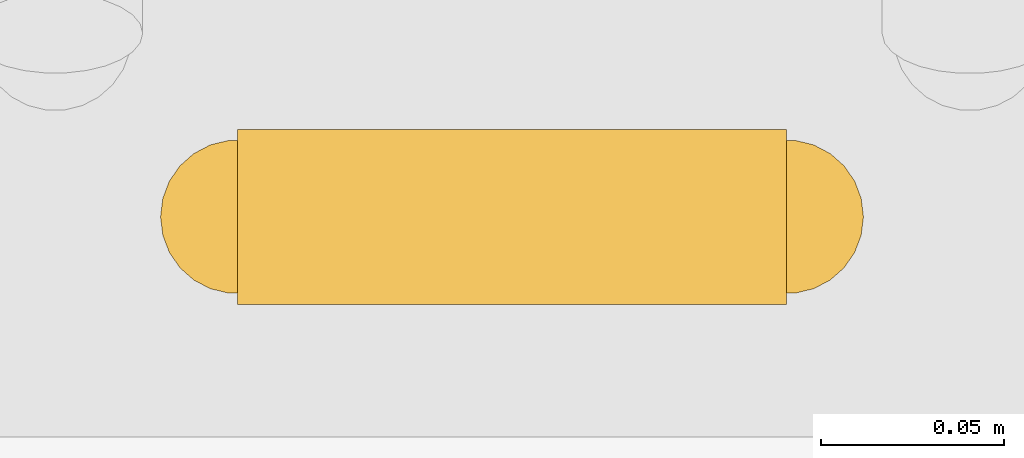
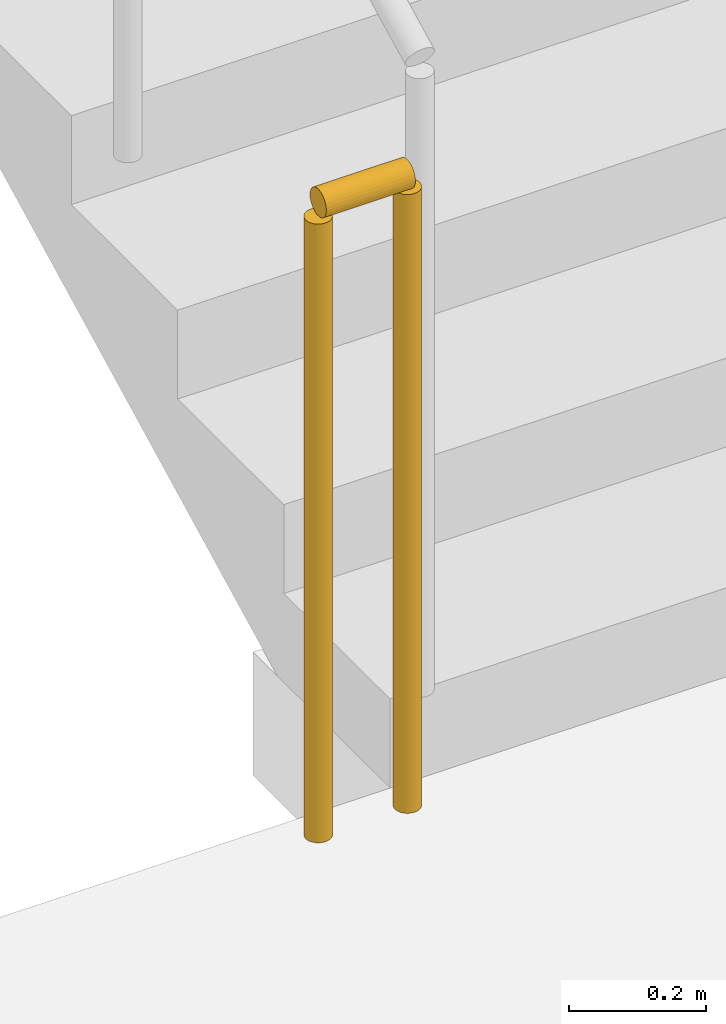
# One storey, part 14 of 18: 1 railing.
"""IFC4 building model written with IfcOpenShell, lengths in metres."""

from ifc_helpers import new_model, si_unit, direction, frame, origin, origin_2d, place, context, subcontext, project, spatial, circle, extrude, material, type_object, element, save


model = new_model("IFC4")

# Units and contexts
model_context = context("Model", 3, precision=1e-05, world=origin(), true_north=direction((0.0, 1.0)))
body_context = subcontext(model_context, "Body", "Model", "MODEL_VIEW")
ifc_project = project(units=[si_unit("LENGTHUNIT", "METRE"), si_unit("AREAUNIT", "SQUARE_METRE"), si_unit("VOLUMEUNIT", "CUBIC_METRE"), si_unit("PLANEANGLEUNIT", "RADIAN"), si_unit("MASSUNIT", "GRAM", prefix="KILO")], contexts=[model_context])

# Site, building, storey
site_placement = place(None, origin())
site = spatial("IfcSite", under=ifc_project, at=site_placement, CompositionType="ELEMENT")
building_placement = place(site_placement, origin())
building = spatial("IfcBuilding", under=site, at=building_placement, Name="Vaeldorn Concourse Tower", CompositionType="ELEMENT")
storey_placement = place(building_placement, frame((0.0, 0.0, 265.0)))
storey = spatial("IfcBuildingStorey", under=building, at=storey_placement, Name="L68", CompositionType="ELEMENT", Elevation=265.0)

# Railing
ifc_material = material(Name="Anodised Bronze Aluminium", Category="aluminium")
railing_type = type_object("IfcRailingType", Name="RL-STAIR-GUARD", PredefinedType="GUARDRAIL", material=ifc_material)
railing_placement = place(storey_placement, frame((16.800048828125, 41.550048828125, 0.0)))
element("IfcRailing", 1, at=railing_placement, inside=storey, type_object=railing_type, Name="L68 ST-1 stair guard 4", PredefinedType="GUARDRAIL", context=body_context, shape_type="SweptSolid", body=[
    extrude(circle(Radius=0.02392578125, at=origin_2d()), frame((0.0, 0.0, 1.1259765625), z_axis=(-1.0, 0.0, 0.0), x_axis=(0.0, -1.0, 0.0)), (0.0, 0.0, 1.0), 0.150146484375),
    extrude(circle(Radius=0.02099609375, at=origin_2d()), origin(), (0.0, 0.0, 1.0), 1.101806640625),
    extrude(circle(Radius=0.02099609375, at=origin_2d()), frame((-0.150146484375, 0.0, 0.0)), (0.0, 0.0, 1.0), 1.101806640625),
])

save(model, "model.ifc")
